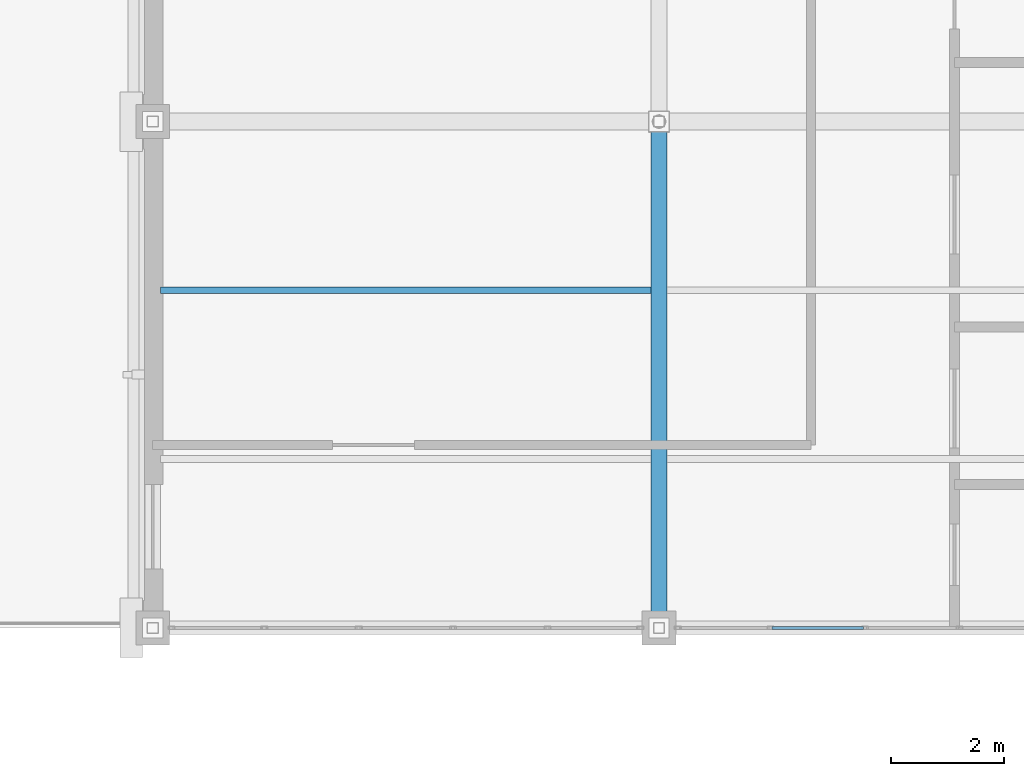
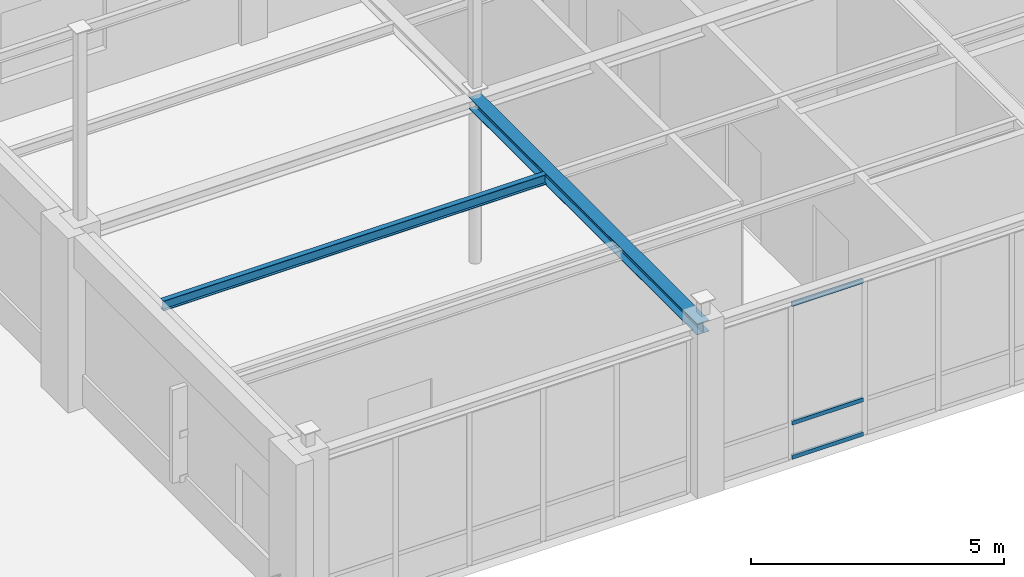
# One storey, part 61 of 97: 3 members, 2 beams, 1 element without a shape of its own.
"""IFC4 building model written with IfcOpenShell, lengths in metres."""

from ifc_helpers import new_model, si_unit, direction, frame, origin, origin_2d, place, context, subcontext, project, spatial, hollow_rectangle, i_section, extrude, material, material_profile, profile_set, type_object, element, aggregate, save


model = new_model("IFC4")

# Units and contexts
model_context = context("Model", 3, precision=1e-05, world=origin(), true_north=direction((0.0, 1.0)))
body_context = subcontext(model_context, "Body", "Model", "MODEL_VIEW")
ifc_project = project(units=[si_unit("LENGTHUNIT", "METRE"), si_unit("AREAUNIT", "SQUARE_METRE"), si_unit("VOLUMEUNIT", "CUBIC_METRE"), si_unit("PLANEANGLEUNIT", "RADIAN"), si_unit("MASSUNIT", "GRAM", prefix="KILO")], contexts=[model_context])

# Site, building, storey
site_placement = place(None, origin())
site = spatial("IfcSite", under=ifc_project, at=site_placement, CompositionType="ELEMENT")
building_placement = place(site_placement, origin())
building = spatial("IfcBuilding", under=site, at=building_placement, Name="Lykobir Media Centre", CompositionType="ELEMENT")
storey_placement = place(building_placement, frame((0.0, 0.0, 23.39990234375)))
storey = spatial("IfcBuildingStorey", under=building, at=storey_placement, Name="L05", CompositionType="ELEMENT", Elevation=23.39990234375)

# Beam
ifc_material_1 = material(Name="Steel S355", Category="steel")
ifc_material_profile_1 = material_profile(ifc_material_1, i_section(OverallWidth=0.280029296875, OverallDepth=0.27001953125, WebThickness=0.008056640625, FlangeThickness=0.012939453125, at=origin_2d()), Name="HEA 280")
ifc_profile_set_1 = profile_set([ifc_material_profile_1], Name="Steel S355")
beam_type_1 = type_object("IfcBeamType", Name="BM-HEA280", PredefinedType="BEAM", material=ifc_profile_set_1)
beam_1_placement = place(storey_placement, frame((117.0, 72.0, 3.84521484375), z_axis=(0.0, 1.0, 0.0), x_axis=(-1.0, 0.0, 0.0)))
element("IfcBeam", 1, at=beam_1_placement, inside=storey, type_object=beam_type_1, Name="Beam BM-L05-1170-0720-1170-0810-2724", PredefinedType="BEAM", context=body_context, shape_type="SweptSolid", body=[
    extrude(i_section(OverallWidth=0.280029296875, OverallDepth=0.27001953125, WebThickness=0.008056640625, FlangeThickness=0.012939453125, at=origin_2d()), origin(), (0.0, 0.0, 1.0), 9.0),
])

# Curtain wall, members
ifc_material_2 = material(Name="Anodized Aluminium AW-6060", Category="aluminium")
curtain_wall_type = type_object("IfcCurtainWallType", Name="CW-COURT-B", PredefinedType="NOTDEFINED", material=ifc_material_2)
curtain_wall_placement = place(storey_placement, origin())
curtain_wall = element("IfcCurtainWall", 2, at=curtain_wall_placement, inside=storey, type_object=curtain_wall_type, Name="Curtain wall CW2-L05-0205", PredefinedType="NOTDEFINED")
ifc_material_profile_2 = material_profile(ifc_material_2, hollow_rectangle(XDim=0.054931640625, YDim=0.094970703125, WallThickness=0.0029296875, at=origin_2d()), Name="ALU TRANSOM 55x95")
ifc_profile_set_2 = profile_set([ifc_material_profile_2], Name="Anodized Aluminium AW-6060")
member_type = type_object("IfcMemberType", Name="CWT-095", PredefinedType="USERDEFINED", material=ifc_profile_set_2)
member_1_placement = place(storey_placement, frame((120.633544921875, 72.0, 0.027587890625), z_axis=(-1.0, 0.0, 0.0), x_axis=(0.0, -1.0, 0.0)))
member_1 = element("IfcMember", 3, at=member_1_placement, type_object=member_type, Name="CW2-L05-0205 transom 4.1", ObjectType="TRANSOM", PredefinedType="USERDEFINED", context=body_context, shape_type="SweptSolid", body=[
    extrude(hollow_rectangle(XDim=0.054931640625, YDim=0.094970703125, WallThickness=0.0029296875, at=origin_2d()), origin(), (0.0, 0.0, 1.0), 1.623046875),
])
member_2_placement = place(storey_placement, frame((120.633544921875, 72.0, 0.85009765625), z_axis=(-1.0, 0.0, 0.0), x_axis=(0.0, -1.0, 0.0)))
member_2 = element("IfcMember", 4, at=member_2_placement, type_object=member_type, Name="CW2-L05-0205 transom 4.2", ObjectType="TRANSOM", PredefinedType="USERDEFINED", context=body_context, shape_type="SweptSolid", body=[
    extrude(hollow_rectangle(XDim=0.054931640625, YDim=0.094970703125, WallThickness=0.0029296875, at=origin_2d()), origin(), (0.0, 0.0, 1.0), 1.623046875),
])
member_3_placement = place(storey_placement, frame((120.633544921875, 72.0, 3.70751953125), z_axis=(-1.0, 0.0, 0.0), x_axis=(0.0, -1.0, 0.0)))
member_3 = element("IfcMember", 5, at=member_3_placement, type_object=member_type, Name="CW2-L05-0205 transom 4.3", ObjectType="TRANSOM", PredefinedType="USERDEFINED", context=body_context, shape_type="SweptSolid", body=[
    extrude(hollow_rectangle(XDim=0.054931640625, YDim=0.094970703125, WallThickness=0.0029296875, at=origin_2d()), origin(), (0.0, 0.0, 1.0), 1.623046875),
])
aggregate(curtain_wall, [member_1, member_2, member_3])

# Beam
ifc_material_profile_3 = material_profile(ifc_material_1, i_section(OverallWidth=0.1201171875, OverallDepth=0.239990234375, WebThickness=0.006103515625, FlangeThickness=0.009765625, at=origin_2d()), Name="IPE 240")
ifc_profile_set_3 = profile_set([ifc_material_profile_3], Name="Steel S355")
beam_type_2 = type_object("IfcBeamType", Name="JS-IPE240", PredefinedType="JOIST", material=ifc_profile_set_3)
beam_2_placement = place(storey_placement, frame((108.139892578125, 78.0, 3.860107421875), z_axis=(1.0, 0.0, 0.0), x_axis=(0.0, 1.0, 0.0)))
element("IfcBeam", 6, at=beam_2_placement, inside=storey, type_object=beam_type_2, Name="Beam BM-L05-1081-0780-1169-0780-2726", PredefinedType="JOIST", context=body_context, shape_type="SweptSolid", body=[
    extrude(i_section(OverallWidth=0.1201171875, OverallDepth=0.239990234375, WebThickness=0.006103515625, FlangeThickness=0.009765625, at=origin_2d()), origin(), (0.0, 0.0, 1.0), 8.72021484375),
])

save(model, "model.ifc")
